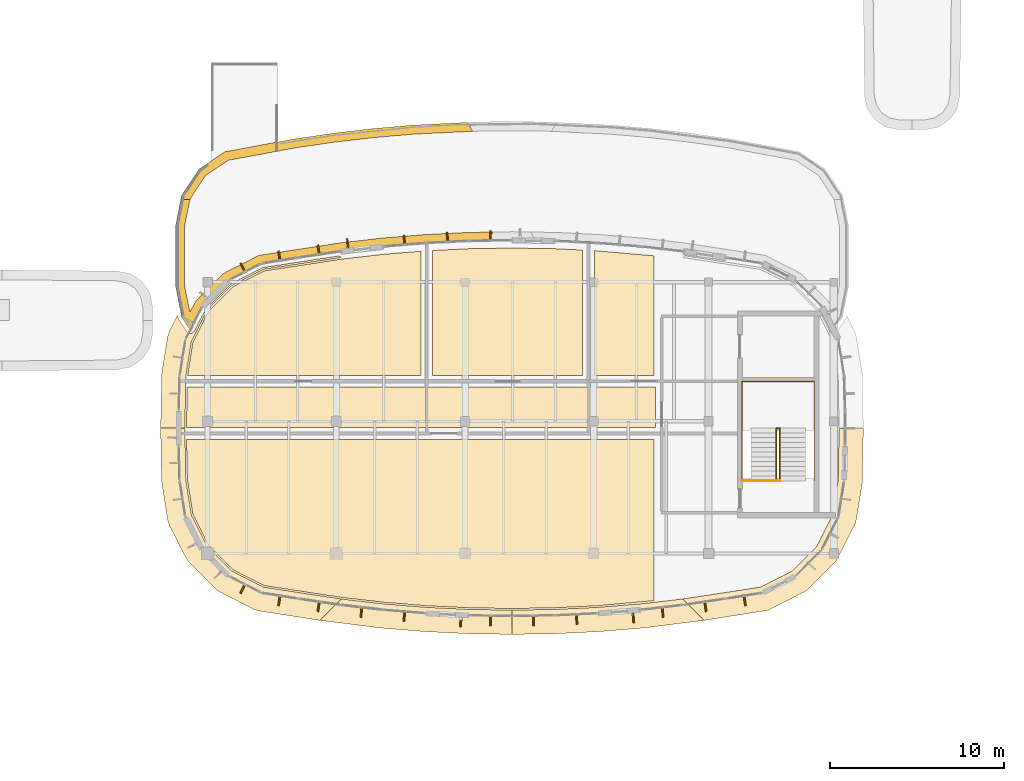
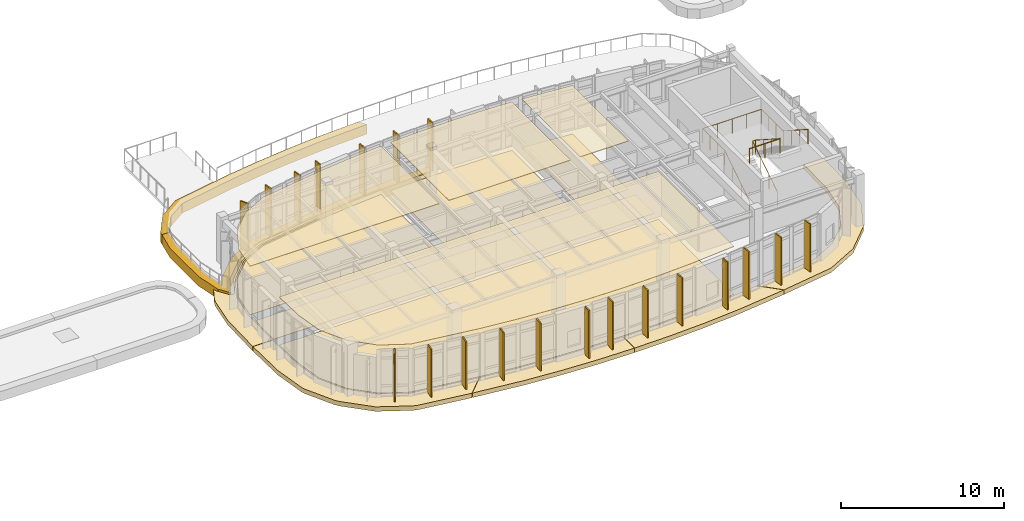
# One storey, part 100 of 111: 36 coverings, 3 railings, 3 shading devices.
"""IFC4 building model written with IfcOpenShell, lengths in metres."""

import ifcopenshell
import ifcopenshell.guid

model = None  # the IFC model being written
_history = None  # IfcOwnerHistory: only IFC2X3 demands one
_inside = {}  # id of a spatial element -> (the spatial element, [elements in it])
_under = {}  # id of a project, library or spatial element -> (it, [spatial elements below it])
_declared = {}  # id of a project -> (the project, [libraries it declares])
_typed = {}  # id of a type object -> (the type object, [elements of that type])
_made_of = {}  # id of a material, layer set ... -> (it, [elements and type objects made of it])


def new_model(schema):
    """Start an empty IFC model of exactly this schema.

    Asked for "IFC4X3", IfcOpenShell would pick the latest addendum, in which some entities
    have other attributes; the version numbers below select the first issue.
    IFC2X3 requires an IfcOwnerHistory on every rooted entity: one is made here for all.
    """
    global model, _history
    if schema == "IFC4X3":
        model = ifcopenshell.file(schema_version=(4, 3, 0, 0))
    else:
        model = ifcopenshell.file(schema=schema)
    _inside.clear()
    _under.clear()
    _declared.clear()
    _typed.clear()
    _made_of.clear()
    _history = None
    if model.schema == "IFC2X3":
        org = make("IfcOrganization", Name="unknown")
        user = make(
            "IfcPersonAndOrganization",
            ThePerson=make("IfcPerson", FamilyName="unknown"),
            TheOrganization=org,
        )
        app = make(
            "IfcApplication",
            ApplicationDeveloper=org,
            Version="unknown",
            ApplicationFullName="unknown",
            ApplicationIdentifier="unknown",
        )
        _history = make(
            "IfcOwnerHistory",
            OwningUser=user,
            OwningApplication=app,
            ChangeAction="ADDED",
            CreationDate=0,
        )
    return model


def make(cls, **values):
    """One entity of the class cls with the attributes given. An attribute that is None is left unset."""
    return model.create_entity(
        cls, **{name: value for name, value in values.items() if value is not None}
    )


def rooted(cls, **values):
    """An entity with a GlobalId (a new one), such as an element, a storey or a relation."""
    return make(cls, GlobalId=ifcopenshell.guid.new(), OwnerHistory=_history, **values)


def si_unit(unit_type, name, prefix=None):
    """IfcSIUnit, for example si_unit("LENGTHUNIT", "METRE", prefix="MILLI")."""
    return make("IfcSIUnit", UnitType=unit_type, Prefix=prefix, Name=name)


def assignment(units):
    """IfcUnitAssignment: the units of a project."""
    return None if units is None else make("IfcUnitAssignment", Units=units)


def point(xyz):
    """IfcCartesianPoint."""
    return None if xyz is None else make("IfcCartesianPoint", Coordinates=xyz)


def direction(xyz):
    """IfcDirection."""
    return None if xyz is None else make("IfcDirection", DirectionRatios=xyz)


def frame(location, z_axis=None, x_axis=None):
    """IfcAxis2Placement3D, a coordinate frame: its origin and axes. An axis left out is left unset."""
    return make(
        "IfcAxis2Placement3D",
        Location=point(location),
        Axis=direction(z_axis),
        RefDirection=direction(x_axis),
    )


def frame_2d(location, x_axis=None):
    """IfcAxis2Placement2D, a coordinate frame in the plane: its origin and x axis."""
    return make(
        "IfcAxis2Placement2D", Location=point(location), RefDirection=direction(x_axis)
    )


def origin():
    """The frame at (0, 0, 0) with its axes left unset."""
    return frame((0.0, 0.0, 0.0))


def origin_2d():
    """The frame at (0, 0) in the plane with its x axis left unset."""
    return frame_2d((0.0, 0.0))


def place(relative_to, where):
    """IfcLocalPlacement: puts the frame where relative to a parent placement (None: the world)."""
    return make(
        "IfcLocalPlacement", PlacementRelTo=relative_to, RelativePlacement=where
    )


def context(
    kind, dimensions, precision=None, world=None, true_north=None, identifier=None
):
    """IfcGeometricRepresentationContext, for example the 3D "Model" context."""
    return make(
        "IfcGeometricRepresentationContext",
        ContextIdentifier=identifier,
        ContextType=kind,
        CoordinateSpaceDimension=dimensions,
        Precision=precision,
        WorldCoordinateSystem=world,
        TrueNorth=true_north,
    )


def subcontext(parent, identifier, kind, view, scale=None):
    """IfcGeometricRepresentationSubContext, for example "Body" below "Model"."""
    return make(
        "IfcGeometricRepresentationSubContext",
        ContextIdentifier=identifier,
        ContextType=kind,
        ParentContext=parent,
        TargetScale=scale,
        TargetView=view,
    )


def project(units=None, contexts=None):
    """IfcProject with its units and contexts."""
    return rooted(
        "IfcProject",
        Name="project",
        RepresentationContexts=contexts,
        UnitsInContext=assignment(units),
    )


def spatial(cls, under=None, at=None, **own):
    """A site, building, storey or space (cls), placed at a placement, below another one or the project."""
    s = rooted(cls, ObjectPlacement=at, **own)
    if under is not None:
        _under.setdefault(under.id(), (under, []))[1].append(s)
    return s


def polyline(points):
    """IfcPolyline through the points."""
    return make("IfcPolyline", Points=[point(p) for p in points])


def profile(cls, at=None, kind="AREA", **sizes):
    """A parametric profile (cls). Its sizes go by their IFC names, for example OverallWidth=200.0."""
    return make(cls, ProfileType=kind, Position=at, **sizes)


def rectangle(**sizes):
    """IfcRectangleProfileDef."""
    return profile("IfcRectangleProfileDef", **sizes)


def circle(**sizes):
    """IfcCircleProfileDef."""
    return profile("IfcCircleProfileDef", **sizes)


def outline(outer, holes=None, kind="AREA"):
    """IfcArbitraryClosedProfileDef: a profile drawn as a closed curve; with holes, ...WithVoids."""
    if holes is None:
        return make("IfcArbitraryClosedProfileDef", ProfileType=kind, OuterCurve=outer)
    return make(
        "IfcArbitraryProfileDefWithVoids",
        ProfileType=kind,
        OuterCurve=outer,
        InnerCurves=holes,
    )


def extrude(swept, where, along, depth):
    """IfcExtrudedAreaSolid: the profile swept, set in the frame where, extruded along a direction by depth."""
    return make(
        "IfcExtrudedAreaSolid",
        SweptArea=swept,
        Position=where,
        ExtrudedDirection=direction(along),
        Depth=depth,
    )


def shape(context_of_items, identifier, shape_type, items):
    """IfcShapeRepresentation: the items that make up one representation, for example the "Body"."""
    return make(
        "IfcShapeRepresentation",
        ContextOfItems=context_of_items,
        RepresentationIdentifier=identifier,
        RepresentationType=shape_type,
        Items=items,
    )


def material(Name=None, Category=None):
    """IfcMaterial."""
    return make("IfcMaterial", Name=Name, Category=Category)


def layer(
    of_material, thickness, ventilated=None, Name=None, Category=None, Priority=None
):
    """IfcMaterialLayer: one layer of a wall or slab, of a material (None: an air gap)."""
    return make(
        "IfcMaterialLayer",
        Material=of_material,
        LayerThickness=thickness,
        IsVentilated=ventilated,
        Name=Name,
        Category=Category,
        Priority=Priority,
    )


def layer_set(layers, Name=None):
    """IfcMaterialLayerSet."""
    return make("IfcMaterialLayerSet", MaterialLayers=layers, LayerSetName=Name)


def made_of(thing, what):
    """Note that an element or type object is made of a material, layer set ...; save() writes the relation."""
    if what is not None:
        _made_of.setdefault(what.id(), (what, []))[1].append(thing)
    return thing


def type_object(cls, material=None, **own):
    """A type object (cls), such as IfcWallType, which elements share."""
    return made_of(rooted(cls, **own), material)


def element(
    cls,
    number,
    at=None,
    inside=None,
    cuts=None,
    type_object=None,
    material=None,
    context=None,
    identifier="Body",
    shape_type=None,
    held_by="IfcProductDefinitionShape",
    body=None,
    shapes=None,
    **own,
):
    """One element of the class cls, such as IfcWall. Its Tag is "e" and its number.

    at: its placement. inside: the storey or other place that contains it. cuts: it is an
    opening in that element (IfcRelVoidsElement). A single representation is given by context,
    identifier, shape_type and body (its items); several are given by shapes. held_by: the class
    of the entity that holds the representations. save() writes the other relations.
    """
    e = rooted(cls, Tag="e%d" % number, ObjectPlacement=at, **own)
    if body is not None:
        shapes = [shape(context, identifier, shape_type, body)]
    if shapes is not None:
        e.Representation = make(held_by, Representations=shapes)
    if inside is not None:
        _inside.setdefault(inside.id(), (inside, []))[1].append(e)
    if cuts is not None:
        rooted(
            "IfcRelVoidsElement", RelatingBuildingElement=cuts, RelatedOpeningElement=e
        )
    if type_object is not None:
        _typed.setdefault(type_object.id(), (type_object, []))[1].append(e)
    return made_of(e, material)


def aggregate(whole, parts):
    """IfcRelAggregates: a whole, such as a stair, and the parts it consists of."""
    return rooted("IfcRelAggregates", RelatingObject=whole, RelatedObjects=parts)


def save(model, path):
    """Write the relations noted so far, then the file.

    IfcRelAggregates (storeys below a building ...), IfcRelContainedInSpatialStructure (elements
    in a storey), IfcRelDefinesByType, IfcRelAssociatesMaterial and IfcRelDeclares: one each for
    every whole, place, type object, material and project.
    """
    for whole, parts in _under.values():
        aggregate(whole, parts)
    for where, things in _inside.values():
        rooted(
            "IfcRelContainedInSpatialStructure",
            RelatedElements=things,
            RelatingStructure=where,
        )
    for kind, things in _typed.values():
        rooted("IfcRelDefinesByType", RelatedObjects=things, RelatingType=kind)
    for what, things in _made_of.values():
        rooted("IfcRelAssociatesMaterial", RelatedObjects=things, RelatingMaterial=what)
    for by, libraries in _declared.values():
        rooted("IfcRelDeclares", RelatingContext=by, RelatedDefinitions=libraries)
    model.write(path)


model = new_model("IFC4")

# Units and contexts
model_context = context("Model", 3, precision=1e-05, world=origin(), true_north=direction((0.0, 1.0)))
body_context = subcontext(model_context, "Body", "Model", "MODEL_VIEW")
ifc_project = project(units=[si_unit("LENGTHUNIT", "METRE"), si_unit("AREAUNIT", "SQUARE_METRE"), si_unit("VOLUMEUNIT", "CUBIC_METRE"), si_unit("PLANEANGLEUNIT", "RADIAN"), si_unit("MASSUNIT", "GRAM", prefix="KILO")], contexts=[model_context])

# Site, building, storey
site_placement = place(None, origin())
site = spatial("IfcSite", under=ifc_project, at=site_placement, CompositionType="ELEMENT")
building_placement = place(site_placement, origin())
building = spatial("IfcBuilding", under=site, at=building_placement, Name="Corveleigh Park Community Centre", CompositionType="ELEMENT")
storey_placement = place(building_placement, frame((0.0, 0.0, 4.800048828125)))
storey = spatial("IfcBuildingStorey", under=building, at=storey_placement, Name="L01", CompositionType="ELEMENT", Elevation=4.800048828125)

# Coverings
ifc_material_1 = material(Name="Warm buff ribbed architectural cladding", Category="masonry")
ifc_layer_1 = layer(ifc_material_1, 0.0849609375, Name="Warm buff ribbed architectural cladding", Category="masonry")
ifc_layer_set_1 = layer_set([ifc_layer_1], Name="Warm buff ribbed architectural cladding")
covering_type_1 = type_object("IfcCoveringType", Name="COV-CLD-BUF", PredefinedType="CLADDING", material=ifc_layer_set_1)
covering_1_placement = place(storey_placement, origin())
element("IfcCovering", 1, at=covering_1_placement, inside=storey, type_object=covering_type_1, Name="V3 L01 Brise-soleil blade 199", PredefinedType="CLADDING", context=body_context, shape_type="SweptSolid", body=[
    extrude(outline(polyline([(78.466064453125, 8.43310546875), (78.382080078125, 8.446044921875), (78.297119140625, 7.8720703125), (78.381103515625, 7.85888671875), (78.466064453125, 8.43310546875)])), origin(), (0.0, 0.0, 1.0), 3.619873046875),
])
covering_2_placement = place(storey_placement, origin())
element("IfcCovering", 2, at=covering_2_placement, inside=storey, type_object=covering_type_1, Name="V3 L01 Brise-soleil blade 200", PredefinedType="CLADDING", context=body_context, shape_type="SweptSolid", body=[
    extrude(outline(polyline([(80.916015625, 8.114013671875), (80.83203125, 8.123046875), (80.76611328125, 7.547119140625), (80.85009765625, 7.537109375), (80.916015625, 8.114013671875)])), origin(), (0.0, 0.0, 1.0), 3.619873046875),
])
covering_3_placement = place(storey_placement, origin())
element("IfcCovering", 3, at=covering_3_placement, inside=storey, type_object=covering_type_1, Name="V3 L01 Brise-soleil blade 201", PredefinedType="CLADDING", context=body_context, shape_type="SweptSolid", body=[
    extrude(outline(polyline([(83.3740234375, 7.8740234375), (83.2900390625, 7.881103515625), (83.242919921875, 7.302978515625), (83.326904296875, 7.2958984375), (83.3740234375, 7.8740234375)])), origin(), (0.0, 0.0, 1.0), 3.619873046875),
])
covering_4_placement = place(storey_placement, origin())
element("IfcCovering", 4, at=covering_4_placement, inside=storey, type_object=covering_type_1, Name="V3 L01 Brise-soleil blade 202", PredefinedType="CLADDING", context=body_context, shape_type="SweptSolid", body=[
    extrude(outline(polyline([(86.60693359375, 7.511962890625), (86.52197265625, 7.51611328125), (86.49609375, 6.98193359375), (86.5810546875, 6.97802734375), (86.60693359375, 7.511962890625)])), origin(), (0.0, 0.0, 1.0), 3.619873046875),
])
covering_5_placement = place(storey_placement, origin())
element("IfcCovering", 5, at=covering_5_placement, inside=storey, type_object=covering_type_1, Name="V3 L01 Brise-soleil blade 203", PredefinedType="CLADDING", context=body_context, shape_type="SweptSolid", body=[
    extrude(outline(polyline([(88.30810546875, 7.635986328125), (88.222900390625, 7.637939453125), (88.212890625, 7.05810546875), (88.298095703125, 7.055908203125), (88.30810546875, 7.635986328125)])), origin(), (0.0, 0.0, 1.0), 3.619873046875),
])
covering_6_placement = place(storey_placement, origin())
element("IfcCovering", 6, at=covering_6_placement, inside=storey, type_object=covering_type_1, Name="V3 L01 Brise-soleil blade 204", PredefinedType="CLADDING", context=body_context, shape_type="SweptSolid", body=[
    extrude(outline(polyline([(90.777099609375, 7.637939453125), (90.69189453125, 7.635986328125), (90.701904296875, 7.055908203125), (90.787109375, 7.05810546875), (90.777099609375, 7.637939453125)])), origin(), (0.0, 0.0, 1.0), 3.619873046875),
])
covering_7_placement = place(storey_placement, origin())
element("IfcCovering", 7, at=covering_7_placement, inside=storey, type_object=covering_type_1, Name="V3 L01 Brise-soleil blade 205", PredefinedType="CLADDING", context=body_context, shape_type="SweptSolid", body=[
    extrude(outline(polyline([(93.2451171875, 7.718994140625), (93.160888671875, 7.715087890625), (93.18896484375, 7.135986328125), (93.27392578125, 7.139892578125), (93.2451171875, 7.718994140625)])), origin(), (0.0, 0.0, 1.0), 3.619873046875),
])
covering_8_placement = place(storey_placement, origin())
element("IfcCovering", 8, at=covering_8_placement, inside=storey, type_object=covering_type_1, Name="V3 L01 Brise-soleil blade 206", PredefinedType="CLADDING", context=body_context, shape_type="SweptSolid", body=[
    extrude(outline(polyline([(96.498046875, 7.76904296875), (96.4140625, 7.762939453125), (96.45703125, 7.22900390625), (96.5419921875, 7.236083984375), (96.498046875, 7.76904296875)])), origin(), (0.0, 0.0, 1.0), 3.619873046875),
])
covering_9_placement = place(storey_placement, origin())
element("IfcCovering", 9, at=covering_9_placement, inside=storey, type_object=covering_type_1, Name="V3 L01 Brise-soleil blade 207", PredefinedType="CLADDING", context=body_context, shape_type="SweptSolid", body=[
    extrude(outline(polyline([(98.16796875, 8.123046875), (98.083984375, 8.114013671875), (98.14990234375, 7.537109375), (98.23388671875, 7.547119140625), (98.16796875, 8.123046875)])), origin(), (0.0, 0.0, 1.0), 3.619873046875),
])
covering_10_placement = place(storey_placement, origin())
element("IfcCovering", 10, at=covering_10_placement, inside=storey, type_object=covering_type_1, Name="V3 L01 Brise-soleil blade 208", PredefinedType="CLADDING", context=body_context, shape_type="SweptSolid", body=[
    extrude(outline(polyline([(100.617919921875, 8.446044921875), (100.533935546875, 8.43310546875), (100.618896484375, 7.85888671875), (100.702880859375, 7.8720703125), (100.617919921875, 8.446044921875)])), origin(), (0.0, 0.0, 1.0), 3.619873046875),
])
covering_11_placement = place(storey_placement, origin())
element("IfcCovering", 11, at=covering_11_placement, inside=storey, type_object=covering_type_1, Name="V3 L01 Brise-soleil blade 209", PredefinedType="CLADDING", context=body_context, shape_type="SweptSolid", body=[
    extrude(outline(polyline([(102.8740234375, 8.7900390625), (102.7900390625, 8.777099609375), (102.881103515625, 8.2041015625), (102.965087890625, 8.218017578125), (102.8740234375, 8.7900390625)])), origin(), (0.0, 0.0, 1.0), 3.619873046875),
])
covering_12_placement = place(storey_placement, origin())
element("IfcCovering", 12, at=covering_12_placement, inside=storey, type_object=covering_type_1, Name="V3 L01 Brise-soleil blade 224", PredefinedType="CLADDING", context=body_context, shape_type="SweptSolid", body=[
    extrude(outline(polyline([(88.222900390625, 29.162109375), (88.30810546875, 29.1640625), (88.298095703125, 29.743896484375), (88.212890625, 29.741943359375), (88.222900390625, 29.162109375)])), origin(), (0.0, 0.0, 1.0), 3.612060546875),
])
covering_13_placement = place(storey_placement, origin())
element("IfcCovering", 13, at=covering_13_placement, inside=storey, type_object=covering_type_1, Name="V3 L01 Brise-soleil blade 225", PredefinedType="CLADDING", context=body_context, shape_type="SweptSolid", body=[
    extrude(outline(polyline([(85.7548828125, 29.0810546875), (85.839111328125, 29.0849609375), (85.81103515625, 29.6640625), (85.72607421875, 29.659912109375), (85.7548828125, 29.0810546875)])), origin(), (0.0, 0.0, 1.0), 3.612060546875),
])
covering_14_placement = place(storey_placement, origin())
element("IfcCovering", 14, at=covering_14_placement, inside=storey, type_object=covering_type_1, Name="V3 L01 Brise-soleil blade 226", PredefinedType="CLADDING", context=body_context, shape_type="SweptSolid", body=[
    extrude(outline(polyline([(83.2900390625, 28.9189453125), (83.3740234375, 28.926025390625), (83.326904296875, 29.50390625), (83.242919921875, 29.4970703125), (83.2900390625, 28.9189453125)])), origin(), (0.0, 0.0, 1.0), 3.612060546875),
])
covering_15_placement = place(storey_placement, origin())
element("IfcCovering", 15, at=covering_15_placement, inside=storey, type_object=covering_type_1, Name="V3 L01 Brise-soleil blade 227", PredefinedType="CLADDING", context=body_context, shape_type="SweptSolid", body=[
    extrude(outline(polyline([(80.041015625, 28.751953125), (80.1259765625, 28.761962890625), (80.06494140625, 29.2939453125), (79.98095703125, 29.283935546875), (80.041015625, 28.751953125)])), origin(), (0.0, 0.0, 1.0), 3.612060546875),
])
covering_16_placement = place(storey_placement, origin())
element("IfcCovering", 16, at=covering_16_placement, inside=storey, type_object=covering_type_1, Name="V3 L01 Brise-soleil blade 228", PredefinedType="CLADDING", context=body_context, shape_type="SweptSolid", body=[
    extrude(outline(polyline([(78.382080078125, 28.35400390625), (78.466064453125, 28.366943359375), (78.381103515625, 28.94091796875), (78.297119140625, 28.927978515625), (78.382080078125, 28.35400390625)])), origin(), (0.0, 0.0, 1.0), 3.612060546875),
])
covering_17_placement = place(storey_placement, origin())
element("IfcCovering", 17, at=covering_17_placement, inside=storey, type_object=covering_type_1, Name="V3 L01 Brise-soleil blade 229", PredefinedType="CLADDING", context=body_context, shape_type="SweptSolid", body=[
    extrude(outline(polyline([(76.1259765625, 28.010009765625), (76.2099609375, 28.02294921875), (76.118896484375, 28.595947265625), (76.034912109375, 28.58203125), (76.1259765625, 28.010009765625)])), origin(), (0.0, 0.0, 1.0), 3.612060546875),
])
covering_18_placement = place(storey_placement, origin())
element("IfcCovering", 18, at=covering_18_placement, inside=storey, type_object=covering_type_1, Name="V3 L01 Brise-soleil blade 230", PredefinedType="CLADDING", context=body_context, shape_type="SweptSolid", body=[
    extrude(outline(polyline([(74.1220703125, 27.346923828125), (74.197998046875, 27.385009765625), (73.93505859375, 27.902099609375), (73.85888671875, 27.864013671875), (74.1220703125, 27.346923828125)])), origin(), (0.0, 0.0, 1.0), 3.612060546875),
])
covering_19_placement = place(storey_placement, origin())
element("IfcCovering", 19, at=covering_19_placement, inside=storey, type_object=covering_type_1, Name="V3 L01 Brise-soleil blade 240", PredefinedType="CLADDING", context=body_context, shape_type="SweptSolid", body=[
    extrude(outline(polyline([(74.197998046875, 9.4150390625), (74.1220703125, 9.452880859375), (73.85888671875, 8.93603515625), (73.93505859375, 8.89794921875), (74.197998046875, 9.4150390625)])), origin(), (0.0, 0.0, 1.0), 3.619873046875),
])
covering_20_placement = place(storey_placement, origin())
element("IfcCovering", 20, at=covering_20_placement, inside=storey, type_object=covering_type_1, Name="V3 L01 Brise-soleil blade 241", PredefinedType="CLADDING", context=body_context, shape_type="SweptSolid", body=[
    extrude(outline(polyline([(76.2099609375, 8.777099609375), (76.1259765625, 8.7900390625), (76.034912109375, 8.218017578125), (76.118896484375, 8.2041015625), (76.2099609375, 8.777099609375)])), origin(), (0.0, 0.0, 1.0), 3.619873046875),
])
ifc_material_2 = material(Name="White architectural fascia cladding", Category="masonry")
ifc_layer_2 = layer(ifc_material_2, 0.074951171875, Name="White architectural fascia cladding", Category="masonry")
ifc_layer_set_2 = layer_set([ifc_layer_2], Name="White architectural fascia cladding")
covering_type_2 = type_object("IfcCoveringType", Name="COV-CLD-WHT", PredefinedType="CLADDING", material=ifc_layer_set_2)
covering_21_placement = place(storey_placement, frame((0.0, 0.0, -0.679931640625)))
element("IfcCovering", 21, at=covering_21_placement, inside=storey, type_object=covering_type_2, Name="Banquet Courtyard Roof Terrace Sweeping White Edge Band 3", PredefinedType="CLADDING", context=body_context, shape_type="SweptSolid", body=[
    extrude(outline(polyline([(70.506103515625, 31.80810546875), (71.5009765625, 33.299072265625), (72.992919921875, 34.2939453125), (76.97900390625, 35.032958984375), (79.240966796875, 35.363037109375), (81.511962890625, 35.626953125), (83.7900390625, 35.824951171875), (86.93994140625, 35.98193359375), (87.236083984375, 35.469970703125), (83.827880859375, 35.305908203125), (81.56591796875, 35.10888671875), (79.30908203125, 34.846923828125), (77.06396484375, 34.52001953125), (73.18505859375, 33.801025390625), (71.875, 32.925048828125), (70.986083984375, 31.55810546875), (70.4560546875, 31.55810546875), (70.506103515625, 31.80810546875)])), origin(), (0.0, 0.0, 1.0), 0.719970703125),
])
covering_22_placement = place(storey_placement, frame((0.0, 0.0, -0.679931640625)))
element("IfcCovering", 22, at=covering_22_placement, inside=storey, type_object=covering_type_2, Name="Banquet Courtyard Roof Terrace Sweeping White Edge Band 4", PredefinedType="CLADDING", context=body_context, shape_type="SweptSolid", body=[
    extrude(outline(polyline([(70.506103515625, 24.7919921875), (70.159912109375, 26.535888671875), (70.159912109375, 30.06396484375), (70.451904296875, 31.5390625), (70.98291015625, 31.5400390625), (70.679931640625, 30.01708984375), (70.679931640625, 26.5830078125), (70.97998046875, 25.074951171875), (71.346923828125, 25.7451171875), (72.909912109375, 27.300048828125), (74.949951171875, 28.339111328125), (79.570068359375, 29.051025390625), (82.04296875, 29.333984375), (84.5380859375, 29.537109375), (87.007080078125, 29.656982421875), (88.423095703125, 29.680908203125), (88.118896484375, 29.156005859375), (84.56396484375, 29.01806640625), (82.10205078125, 28.81689453125), (79.64697265625, 28.535888671875), (75.10888671875, 27.843017578125), (73.216064453125, 26.87890625), (71.719970703125, 25.382080078125), (71.0380859375, 24.05908203125), (70.985107421875, 24.071044921875), (70.506103515625, 24.7919921875)])), origin(), (0.0, 0.0, 1.0), 0.719970703125),
])
covering_23_placement = place(storey_placement, frame((0.0, 0.0, -0.300048828125)))
element("IfcCovering", 23, at=covering_23_placement, inside=storey, type_object=covering_type_2, Name="V3 L01 Horizontal Sun-Hood 2", PredefinedType="CLADDING", context=body_context, shape_type="SweptSolid", body=[
    extrude(outline(polyline([(69.298095703125, 18.409912109375), (69.363037109375, 21.56396484375), (69.696044921875, 23.6650390625), (69.797119140625, 23.97802734375), (70.26904296875, 24.904052734375), (70.324951171875, 24.681884765625), (70.824951171875, 23.93408203125), (70.947021484375, 23.85302734375), (71.093994140625, 23.85498046875), (71.240966796875, 23.97998046875), (71.89208984375, 25.257080078125), (73.341064453125, 26.70703125), (75.175048828125, 27.64111328125), (79.576904296875, 28.31298828125), (79.677978515625, 28.2119140625), (75.208984375, 27.530029296875), (73.410888671875, 26.614013671875), (71.986083984375, 25.18896484375), (71.070068359375, 23.39111328125), (70.7490234375, 21.367919921875), (70.697998046875, 18.408935546875), (69.298095703125, 18.409912109375)])), origin(), (0.0, 0.0, 1.0), 0.340087890625),
])
covering_24_placement = place(storey_placement, frame((0.0, 0.0, -0.300048828125)))
element("IfcCovering", 24, at=covering_24_placement, inside=storey, type_object=covering_type_2, Name="V3 L01 Horizontal Sun-Hood 3", PredefinedType="CLADDING", context=body_context, shape_type="SweptSolid", body=[
    extrude(outline(polyline([(74.6220703125, 7.9970703125), (72.5859375, 9.050048828125), (70.95703125, 10.660888671875), (70.762939453125, 10.926025390625), (69.797119140625, 12.822021484375), (69.696044921875, 13.135009765625), (69.35009765625, 15.373046875), (69.298095703125, 18.389892578125), (70.697998046875, 18.39111328125), (70.7490234375, 15.431884765625), (71.070068359375, 13.408935546875), (71.986083984375, 11.611083984375), (73.410888671875, 10.18603515625), (75.208984375, 9.27001953125), (79.677978515625, 8.587890625), (78.444091796875, 7.35498046875), (74.93505859375, 7.89599609375), (74.6220703125, 7.9970703125)])), origin(), (0.0, 0.0, 1.0), 0.340087890625),
])
covering_25_placement = place(storey_placement, frame((0.0, 0.0, -0.300048828125)))
element("IfcCovering", 25, at=covering_25_placement, inside=storey, type_object=covering_type_2, Name="V3 L01 Horizontal Sun-Hood 4", PredefinedType="CLADDING", context=body_context, shape_type="SweptSolid", body=[
    extrude(outline(polyline([(89.48291015625, 6.547119140625), (86.97900390625, 6.587890625), (84.47705078125, 6.7099609375), (81.97998046875, 6.9150390625), (78.462890625, 7.35205078125), (79.695068359375, 8.5849609375), (82.133056640625, 8.305908203125), (84.5849609375, 8.10595703125), (87.041015625, 7.987060546875), (89.4951171875, 7.947021484375), (89.48291015625, 6.547119140625)])), origin(), (0.0, 0.0, 1.0), 0.340087890625),
])
covering_26_placement = place(storey_placement, frame((0.0, 0.0, -0.300048828125)))
element("IfcCovering", 26, at=covering_26_placement, inside=storey, type_object=covering_type_2, Name="V3 L01 Horizontal Sun-Hood 5", PredefinedType="CLADDING", context=body_context, shape_type="SweptSolid", body=[
    extrude(outline(polyline([(100.537109375, 7.35205078125), (97.02001953125, 6.9150390625), (94.52294921875, 6.7099609375), (92.02099609375, 6.587890625), (89.506103515625, 6.547119140625), (89.5048828125, 7.947021484375), (91.958984375, 7.987060546875), (94.4150390625, 8.10595703125), (96.866943359375, 8.305908203125), (99.304931640625, 8.5849609375), (100.537109375, 7.35205078125)])), origin(), (0.0, 0.0, 1.0), 0.340087890625),
])
covering_27_placement = place(storey_placement, frame((0.0, 0.0, -0.300048828125)))
element("IfcCovering", 27, at=covering_27_placement, inside=storey, type_object=covering_type_2, Name="V3 L01 Horizontal Sun-Hood 6", PredefinedType="CLADDING", context=body_context, shape_type="SweptSolid", body=[
    extrude(outline(polyline([(109.701904296875, 18.389892578125), (109.636962890625, 15.236083984375), (109.26611328125, 12.97412109375), (108.14990234375, 10.785888671875), (106.4140625, 9.050048828125), (104.22607421875, 7.93408203125), (100.555908203125, 7.35498046875), (99.322021484375, 8.587890625), (103.791015625, 9.27001953125), (105.589111328125, 10.18603515625), (107.013916015625, 11.611083984375), (107.929931640625, 13.408935546875), (108.2509765625, 15.431884765625), (108.302001953125, 18.39111328125), (109.701904296875, 18.389892578125)])), origin(), (0.0, 0.0, 1.0), 0.340087890625),
])
ifc_material_3 = material(Name="Perforated acoustic suspended ceiling", Category="gypsum")
ifc_layer_3 = layer(ifc_material_3, 0.0400390625, Name="Perforated acoustic suspended ceiling", Category="gypsum")
ifc_layer_set_3 = layer_set([ifc_layer_3], Name="Perforated acoustic suspended ceiling")
covering_type_3 = type_object("IfcCoveringType", Name="COV-CLG-ACU", PredefinedType="CEILING", material=ifc_layer_set_3)
covering_28_placement = place(storey_placement, frame((0.0, 0.0, 3.587890625)))
element("IfcCovering", 28, at=covering_28_placement, inside=storey, type_object=covering_type_3, Name="Community Banquet Hall acoustic ceiling", PredefinedType="CEILING", context=body_context, shape_type="SweptSolid", body=[
    extrude(outline(polyline([(71.156982421875, 13.43701171875), (70.839111328125, 15.43994140625), (70.7880859375, 17.760009765625), (97.659912109375, 17.760009765625), (97.659912109375, 8.488037109375), (94.408935546875, 8.196044921875), (91.9560546875, 8.076904296875), (89.5, 8.037109375), (87.0439453125, 8.076904296875), (84.591064453125, 8.196044921875), (82.14208984375, 8.39599609375), (79.700927734375, 8.675048828125), (75.237060546875, 9.35693359375), (73.465087890625, 10.259033203125), (72.05908203125, 11.6650390625), (71.156982421875, 13.43701171875)])), origin(), (0.0, 0.0, 1.0), 0.0400390625),
])
covering_29_placement = place(storey_placement, frame((0.0, 0.0, 3.625)))
element("IfcCovering", 29, at=covering_29_placement, inside=storey, type_object=covering_type_3, Name="Culinary Teaching Classroom acoustic ceiling", PredefinedType="CEILING", context=body_context, shape_type="SweptSolid", body=[
    extrude(outline(polyline([(73.465087890625, 26.541015625), (75.237060546875, 27.443115234375), (79.700927734375, 28.125), (82.14208984375, 28.404052734375), (84.260009765625, 28.576904296875), (84.260009765625, 21.43994140625), (70.85205078125, 21.43994140625), (71.156982421875, 23.363037109375), (72.05908203125, 25.135009765625), (73.465087890625, 26.541015625)])), origin(), (0.0, 0.0, 1.0), 0.0400390625),
])
covering_30_placement = place(storey_placement, frame((0.0, 0.0, 3.625)))
element("IfcCovering", 30, at=covering_30_placement, inside=storey, type_object=covering_type_3, Name="Banquet Catering Servery acoustic ceiling", PredefinedType="CEILING", context=body_context, shape_type="SweptSolid", body=[
    extrude(outline(polyline([(93.56005859375, 21.43994140625), (84.93994140625, 21.43994140625), (84.93994140625, 28.62109375), (87.0439453125, 28.722900390625), (89.5, 28.762939453125), (91.9560546875, 28.722900390625), (93.56005859375, 28.64501953125), (93.56005859375, 21.43994140625)])), origin(), (0.0, 0.0, 1.0), 0.0400390625),
])
covering_31_placement = place(storey_placement, frame((0.0, 0.0, 3.625)))
element("IfcCovering", 31, at=covering_31_placement, inside=storey, type_object=covering_type_3, Name="Accessible WC V3 L01 acoustic ceiling", PredefinedType="CEILING", context=body_context, shape_type="SweptSolid", body=[
    extrude(outline(polyline([(94.239990234375, 28.612060546875), (97.659912109375, 28.31201171875), (97.659912109375, 21.43994140625), (94.239990234375, 21.43994140625), (94.239990234375, 28.612060546875)])), origin(), (0.0, 0.0, 1.0), 0.0400390625),
])
ifc_material_4 = material(Name="Acoustic linoleum flooring", Category="wood")
ifc_layer_4 = layer(ifc_material_4, 0.02490234375, Name="Acoustic linoleum flooring", Category="wood")
ifc_layer_set_4 = layer_set([ifc_layer_4], Name="Acoustic linoleum flooring")
covering_type_4 = type_object("IfcCoveringType", Name="COV-FLR-LIN", PredefinedType="FLOORING", material=ifc_layer_set_4)
covering_32_placement = place(storey_placement, origin())
element("IfcCovering", 32, at=covering_32_placement, inside=storey, type_object=covering_type_4, Name="Banquet Gallery Corridor flooring", PredefinedType="FLOORING", context=body_context, shape_type="SweptSolid", body=[
    extrude(outline(polyline([(70.823974609375, 20.760009765625), (97.760009765625, 20.760009765625), (97.760009765625, 18.43994140625), (70.7880859375, 18.43994140625), (70.823974609375, 20.760009765625)])), origin(), (0.0, 0.0, 1.0), 0.02490234375),
])
covering_33_placement = place(storey_placement, origin())
element("IfcCovering", 33, at=covering_33_placement, inside=storey, type_object=covering_type_4, Name="Community Banquet Hall flooring", PredefinedType="FLOORING", context=body_context, shape_type="SweptSolid", body=[
    extrude(outline(polyline([(71.156982421875, 13.43701171875), (70.839111328125, 15.43994140625), (70.7880859375, 17.760009765625), (97.659912109375, 17.760009765625), (97.659912109375, 8.488037109375), (94.408935546875, 8.196044921875), (91.9560546875, 8.076904296875), (89.5, 8.037109375), (87.0439453125, 8.076904296875), (84.591064453125, 8.196044921875), (82.14208984375, 8.39599609375), (79.700927734375, 8.675048828125), (75.237060546875, 9.35693359375), (73.465087890625, 10.259033203125), (72.05908203125, 11.6650390625), (71.156982421875, 13.43701171875)])), origin(), (0.0, 0.0, 1.0), 0.02490234375),
])
covering_34_placement = place(storey_placement, origin())
element("IfcCovering", 34, at=covering_34_placement, inside=storey, type_object=covering_type_4, Name="Culinary Teaching Classroom flooring", PredefinedType="FLOORING", context=body_context, shape_type="SweptSolid", body=[
    extrude(outline(polyline([(73.465087890625, 26.541015625), (75.237060546875, 27.443115234375), (79.700927734375, 28.125), (82.14208984375, 28.404052734375), (84.260009765625, 28.576904296875), (84.260009765625, 21.43994140625), (70.85205078125, 21.43994140625), (71.156982421875, 23.363037109375), (72.05908203125, 25.135009765625), (73.465087890625, 26.541015625)])), origin(), (0.0, 0.0, 1.0), 0.02490234375),
])
covering_35_placement = place(storey_placement, origin())
element("IfcCovering", 35, at=covering_35_placement, inside=storey, type_object=covering_type_4, Name="Banquet Catering Servery flooring", PredefinedType="FLOORING", context=body_context, shape_type="SweptSolid", body=[
    extrude(outline(polyline([(93.56005859375, 21.43994140625), (84.93994140625, 21.43994140625), (84.93994140625, 28.62109375), (87.0439453125, 28.722900390625), (89.5, 28.762939453125), (91.9560546875, 28.722900390625), (93.56005859375, 28.64501953125), (93.56005859375, 21.43994140625)])), origin(), (0.0, 0.0, 1.0), 0.02490234375),
])
covering_36_placement = place(storey_placement, origin())
element("IfcCovering", 36, at=covering_36_placement, inside=storey, type_object=covering_type_4, Name="Accessible WC V3 L01 flooring", PredefinedType="FLOORING", context=body_context, shape_type="SweptSolid", body=[
    extrude(outline(polyline([(94.239990234375, 28.612060546875), (97.659912109375, 28.31201171875), (97.659912109375, 21.43994140625), (94.239990234375, 21.43994140625), (94.239990234375, 28.612060546875)])), origin(), (0.0, 0.0, 1.0), 0.02490234375),
])

# Railings
ifc_material_5 = material(Name="Stainless steel 316 balustrade", Category="steel")
railing_type = type_object("IfcRailingType", Name="RLG-BAL-INT-1100", PredefinedType="BALUSTRADE", material=ifc_material_5)
railing_1_placement = place(storey_placement, frame((104.699951171875, 15.3798828125, 0.0)))
element("IfcRailing", 37, at=railing_1_placement, inside=storey, type_object=railing_type, Name="Stair ST4 inner guard L01", PredefinedType="BALUSTRADE", context=body_context, shape_type="SweptSolid", body=[
    extrude(circle(Radius=0.02392578125, at=origin_2d()), frame((0.0, 0.0, 1.076171875), z_axis=(0.0, 0.84051886652, 0.541782276402), x_axis=(-1.0, 0.0, 0.0)), (0.0, 0.0, 1.0), 3.59912109375),
    extrude(circle(Radius=0.02392578125, at=origin_2d()), frame((0.0, 3.025146484375, 3.02587890625), z_axis=(1.0, 0.0, 0.0), x_axis=(0.0, 1.0, 0.0)), (0.0, 0.0, 1.0), 0.199951171875),
    extrude(circle(Radius=0.02392578125, at=origin_2d()), frame((0.199951171875, 3.025146484375, 3.02587890625), z_axis=(0.0, -0.84051886652, 0.541782276402), x_axis=(1.0, 0.0, 0.0)), (0.0, 0.0, 1.0), 3.59912109375),
    extrude(circle(Radius=0.02099609375, at=origin_2d()), origin(), (0.0, 0.0, 1.0), 1.052001953125),
    extrude(circle(Radius=0.02099609375, at=origin_2d()), frame((0.0, 1.00830078125, 0.64990234375)), (0.0, 0.0, 1.0), 1.052001953125),
    extrude(circle(Radius=0.02099609375, at=origin_2d()), frame((0.0, 2.016845703125, 1.300048828125)), (0.0, 0.0, 1.0), 1.052001953125),
    extrude(circle(Radius=0.02099609375, at=origin_2d()), frame((0.0, 3.025146484375, 1.949951171875)), (0.0, 0.0, 1.0), 1.052001953125),
    extrude(circle(Radius=0.02099609375, at=origin_2d()), frame((0.199951171875, 3.025146484375, 1.949951171875)), (0.0, 0.0, 1.0), 1.052001953125),
    extrude(circle(Radius=0.02099609375, at=origin_2d()), frame((0.199951171875, 2.016845703125, 2.599853515625)), (0.0, 0.0, 1.0), 1.052001953125),
    extrude(circle(Radius=0.02099609375, at=origin_2d()), frame((0.199951171875, 1.00830078125, 3.25)), (0.0, 0.0, 1.0), 1.052001953125),
    extrude(circle(Radius=0.02099609375, at=origin_2d()), frame((0.199951171875, 0.0, 3.89990234375)), (0.0, 0.0, 1.0), 1.052001953125),
])
railing_2_placement = place(storey_placement, frame((102.741943359375, 15.3798828125, 3.89990234375)))
element("IfcRailing", 38, at=railing_2_placement, inside=storey, type_object=railing_type, Name="Stair ST4 landing guard L01", PredefinedType="BALUSTRADE", context=body_context, shape_type="SweptSolid", body=[
    extrude(circle(Radius=0.02392578125, at=origin_2d()), frame((0.0, 0.0, 1.076171875), z_axis=(1.0, 0.0, 0.0), x_axis=(0.0, 1.0, 0.0)), (0.0, 0.0, 1.0), 2.157958984375),
    extrude(circle(Radius=0.02099609375, at=origin_2d()), origin(), (0.0, 0.0, 1.0), 1.052001953125),
    extrude(circle(Radius=0.02099609375, at=origin_2d()), frame((1.0791015625, 0.0, 0.0)), (0.0, 0.0, 1.0), 1.052001953125),
    extrude(circle(Radius=0.02099609375, at=origin_2d()), frame((2.157958984375, 0.0, 0.0)), (0.0, 0.0, 1.0), 1.052001953125),
])
railing_3_placement = place(storey_placement, frame((102.721923828125, 15.3798828125, 0.0)))
element("IfcRailing", 39, at=railing_3_placement, inside=storey, type_object=railing_type, Name="Stair ST4 perimeter guard L01", PredefinedType="BALUSTRADE", context=body_context, shape_type="SweptSolid", body=[
    extrude(circle(Radius=0.02392578125, at=origin_2d()), frame((0.0, 0.0, 1.076171875), z_axis=(0.0, 0.84051886652, 0.541782276402), x_axis=(-1.0, 0.0, 0.0)), (0.0, 0.0, 1.0), 3.59912109375),
    extrude(circle(Radius=0.02392578125, at=origin_2d()), frame((0.0, 3.025146484375, 3.02587890625), z_axis=(0.0, 1.0, 0.0), x_axis=(-1.0, 0.0, 0.0)), (0.0, 0.0, 1.0), 2.68798828125),
    extrude(circle(Radius=0.02392578125, at=origin_2d()), frame((0.0, 5.713134765625, 3.02587890625), z_axis=(1.0, 0.0, 0.0), x_axis=(0.0, 1.0, 0.0)), (0.0, 0.0, 1.0), 4.156005859375),
    extrude(circle(Radius=0.02392578125, at=origin_2d()), frame((4.156005859375, 5.713134765625, 3.02587890625), z_axis=(0.0, -1.0, 0.0), x_axis=(1.0, 0.0, 0.0)), (0.0, 0.0, 1.0), 2.68798828125),
    extrude(circle(Radius=0.02392578125, at=origin_2d()), frame((4.156005859375, 3.025146484375, 3.02587890625), z_axis=(0.0, -0.84051886652, 0.541782276402), x_axis=(1.0, 0.0, 0.0)), (0.0, 0.0, 1.0), 3.59912109375),
    extrude(circle(Radius=0.02099609375, at=origin_2d()), origin(), (0.0, 0.0, 1.0), 1.052001953125),
    extrude(circle(Radius=0.02099609375, at=origin_2d()), frame((0.0, 1.00830078125, 0.64990234375)), (0.0, 0.0, 1.0), 1.052001953125),
    extrude(circle(Radius=0.02099609375, at=origin_2d()), frame((0.0, 2.016845703125, 1.300048828125)), (0.0, 0.0, 1.0), 1.052001953125),
    extrude(circle(Radius=0.02099609375, at=origin_2d()), frame((0.0, 3.025146484375, 1.949951171875)), (0.0, 0.0, 1.0), 1.052001953125),
    extrude(circle(Radius=0.02099609375, at=origin_2d()), frame((0.0, 3.921142578125, 1.949951171875)), (0.0, 0.0, 1.0), 1.052001953125),
    extrude(circle(Radius=0.02099609375, at=origin_2d()), frame((0.0, 4.817138671875, 1.949951171875)), (0.0, 0.0, 1.0), 1.052001953125),
    extrude(circle(Radius=0.02099609375, at=origin_2d()), frame((0.0, 5.713134765625, 1.949951171875)), (0.0, 0.0, 1.0), 1.052001953125),
    extrude(circle(Radius=0.02099609375, at=origin_2d()), frame((1.0390625, 5.713134765625, 1.949951171875)), (0.0, 0.0, 1.0), 1.052001953125),
    extrude(circle(Radius=0.02099609375, at=origin_2d()), frame((2.078125, 5.713134765625, 1.949951171875)), (0.0, 0.0, 1.0), 1.052001953125),
    extrude(circle(Radius=0.02099609375, at=origin_2d()), frame((3.116943359375, 5.713134765625, 1.949951171875)), (0.0, 0.0, 1.0), 1.052001953125),
    extrude(circle(Radius=0.02099609375, at=origin_2d()), frame((4.156005859375, 5.713134765625, 1.949951171875)), (0.0, 0.0, 1.0), 1.052001953125),
    extrude(circle(Radius=0.02099609375, at=origin_2d()), frame((4.156005859375, 4.817138671875, 1.949951171875)), (0.0, 0.0, 1.0), 1.052001953125),
    extrude(circle(Radius=0.02099609375, at=origin_2d()), frame((4.156005859375, 3.921142578125, 1.949951171875)), (0.0, 0.0, 1.0), 1.052001953125),
    extrude(circle(Radius=0.02099609375, at=origin_2d()), frame((4.156005859375, 3.025146484375, 1.949951171875)), (0.0, 0.0, 1.0), 1.052001953125),
    extrude(circle(Radius=0.02099609375, at=origin_2d()), frame((4.156005859375, 2.016845703125, 2.599853515625)), (0.0, 0.0, 1.0), 1.052001953125),
    extrude(circle(Radius=0.02099609375, at=origin_2d()), frame((4.156005859375, 1.00830078125, 3.25)), (0.0, 0.0, 1.0), 1.052001953125),
    extrude(circle(Radius=0.02099609375, at=origin_2d()), frame((4.156005859375, 0.0, 3.89990234375)), (0.0, 0.0, 1.0), 1.052001953125),
])

# Shading devices
ifc_material_6 = material(Name="Terracotta-anodised aluminium fin", Category="masonry")
shading_device_type_1 = type_object("IfcShadingDeviceType", Name="SHD-FIN-TER-350", PredefinedType="USERDEFINED", material=ifc_material_6)
shading_device_1_placement = place(storey_placement, frame((96.470947265625, 7.576904296875, 0.25), z_axis=(0.0, 0.0, 1.0), x_axis=(0.081122341986, -0.996704151507, 0.0)))
element("IfcShadingDevice", 40, at=shading_device_1_placement, inside=storey, type_object=shading_device_type_1, Name="Terracotta brise-soleil fin 35", ObjectType="FIN", PredefinedType="USERDEFINED", context=body_context, shape_type="SweptSolid", body=[
    extrude(rectangle(XDim=0.35009765625, YDim=0.06005859375, at=origin_2d()), origin(), (0.0, 0.0, 1.0), 3.219970703125),
])
shading_device_2_placement = place(storey_placement, frame((80.06201171875, 28.946044921875, 0.25), z_axis=(0.0, 0.0, 1.0), x_axis=(-0.113742050835, 0.99351031493, 0.0)))
element("IfcShadingDevice", 41, at=shading_device_2_placement, inside=storey, type_object=shading_device_type_1, Name="Terracotta brise-soleil fin 39", ObjectType="FIN", PredefinedType="USERDEFINED", context=body_context, shape_type="SweptSolid", body=[
    extrude(rectangle(XDim=0.35009765625, YDim=0.06005859375, at=origin_2d()), origin(), (0.0, 0.0, 1.0), 3.2119140625),
])
shading_device_type_2 = type_object("IfcShadingDeviceType", Name="SHD-FIN-TER-450", PredefinedType="USERDEFINED", material=ifc_material_6)
shading_device_3_placement = place(storey_placement, frame((86.554931640625, 7.323974609375, 0.25), z_axis=(0.0, 0.0, 1.0), x_axis=(-0.048920946301, -0.998802653687, 0.0)))
element("IfcShadingDevice", 42, at=shading_device_3_placement, inside=storey, type_object=shading_device_type_2, Name="Terracotta brise-soleil fin 34", ObjectType="FIN", PredefinedType="USERDEFINED", context=body_context, shape_type="SweptSolid", body=[
    extrude(rectangle(XDim=0.449951171875, YDim=0.06494140625, at=origin_2d()), origin(), (0.0, 0.0, 1.0), 3.219970703125),
])

save(model, "model.ifc")
